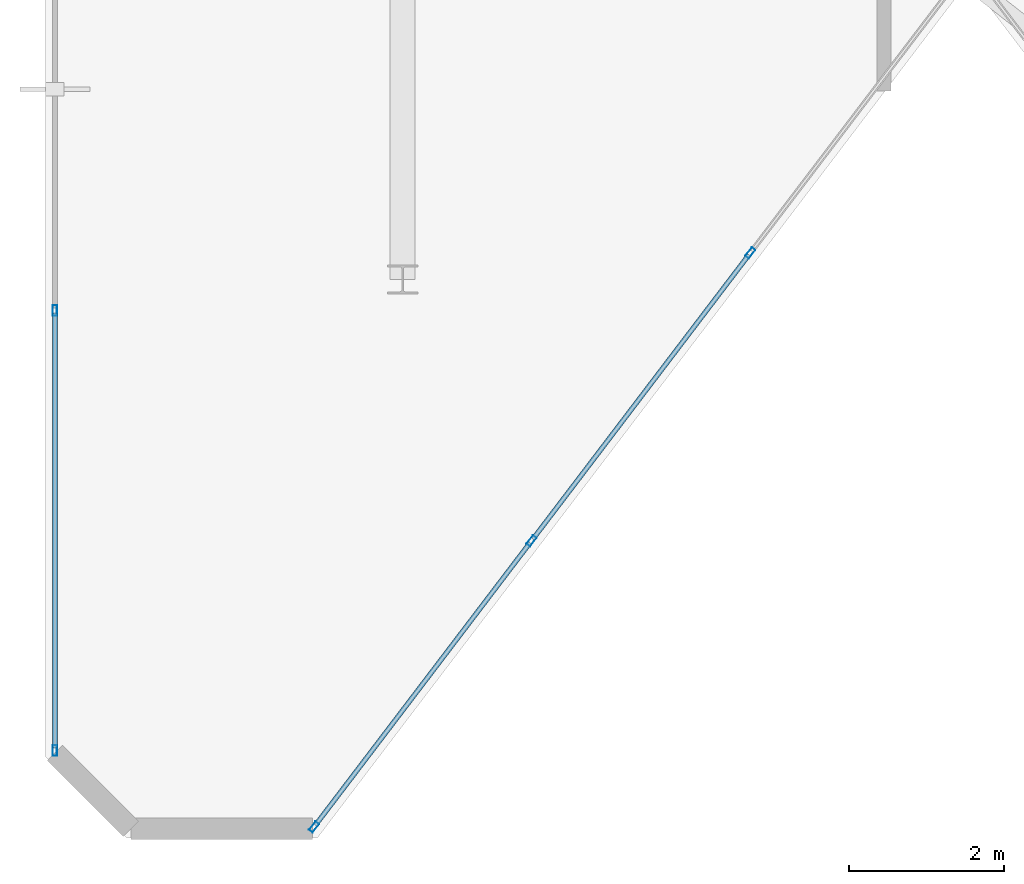
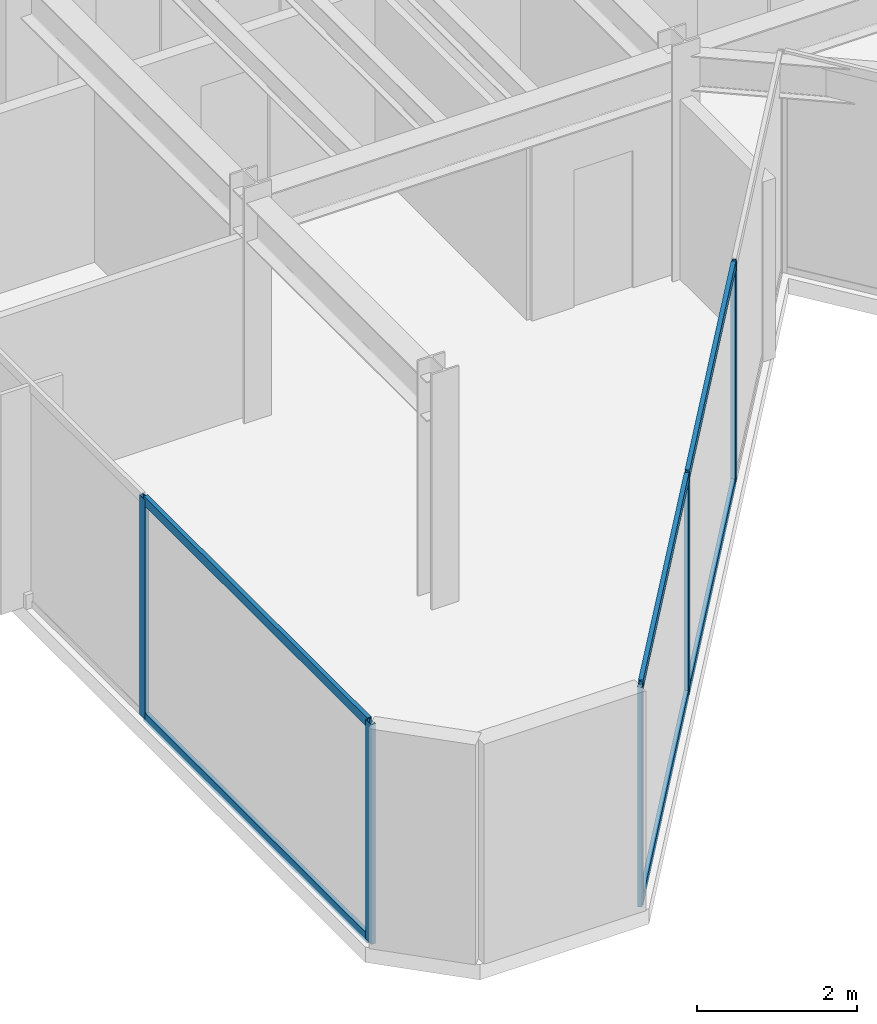
# One storey, part 2 of 16: 11 members, 2 elements without a shape of their own.
"""IFC4 building model written with IfcOpenShell, lengths in metres."""

from ifc_helpers import new_model, si_unit, direction, frame, origin, origin_2d, place, context, subcontext, project, spatial, hollow_rectangle, extrude, material, layer, layer_set, material_profile, profile_set, type_object, element, aggregate, save


model = new_model("IFC4")

# Units and contexts
model_context = context("Model", 3, precision=1e-05, world=origin(), true_north=direction((0.0, 1.0)))
body_context = subcontext(model_context, "Body", "Model", "MODEL_VIEW")
ifc_project = project(units=[si_unit("LENGTHUNIT", "METRE"), si_unit("AREAUNIT", "SQUARE_METRE"), si_unit("VOLUMEUNIT", "CUBIC_METRE"), si_unit("PLANEANGLEUNIT", "RADIAN"), si_unit("MASSUNIT", "GRAM", prefix="KILO")], contexts=[model_context])

# Site, building, storey
site_placement = place(None, origin())
site = spatial("IfcSite", under=ifc_project, at=site_placement, CompositionType="ELEMENT")
building_placement = place(site_placement, origin())
building = spatial("IfcBuilding", under=site, at=building_placement, Name="Kravanh Interchange Tower", CompositionType="ELEMENT")
storey_placement = place(building_placement, frame((0.0, 0.0, 303.89990234375)))
storey = spatial("IfcBuildingStorey", under=building, at=storey_placement, Name="L75", CompositionType="ELEMENT", Elevation=303.89990234375)

# Curtain wall, members
ifc_material_1 = material(Name="Anodised Bronze Aluminium", Category="aluminium")
ifc_layer = layer(ifc_material_1, 0.179931640625)
ifc_layer_set = layer_set([ifc_layer], Name="Unitised Curtain Wall System CW-HTL Luxury Hotel")
curtain_wall_type = type_object("IfcCurtainWallType", Name="Unitised Curtain Wall System CW-HTL Luxury Hotel", PredefinedType="NOTDEFINED", material=ifc_layer_set)
curtain_wall_1_placement = place(storey_placement, origin())
curtain_wall_1 = element("IfcCurtainWall", 1, at=curtain_wall_1_placement, inside=storey, type_object=curtain_wall_type, Name="L75 Unitised Curtain Wall CW-L75-01", PredefinedType="NOTDEFINED")
ifc_material_2 = material(Name="Anodised Bronze Aluminium", Category="aluminium")
ifc_material_profile_1 = material_profile(ifc_material_2, hollow_rectangle(XDim=0.06005859375, YDim=0.139892578125, WallThickness=0.00390625, at=origin_2d()), Name="ALU60X140X4")
ifc_profile_set_1 = profile_set([ifc_material_profile_1], Name="Anodised Bronze Aluminium")
member_type_1 = type_object("IfcMemberType", Name="Curtain Wall Mullion ALU60X140X4 Bronze", PredefinedType="MULLION", material=ifc_profile_set_1)
member_1_placement = place(storey_placement, frame((34.1201171875, 20.729736328125, 0.0), z_axis=(0.0, 0.0, 1.0), x_axis=(-1.0, 0.0, 0.0)))
member_1 = element("IfcMember", 2, at=member_1_placement, type_object=member_type_1, Name="CW-HTL mullion 1", PredefinedType="MULLION", context=body_context, shape_type="SweptSolid", body=[
    extrude(hollow_rectangle(XDim=0.06005859375, YDim=0.139892578125, WallThickness=0.00390625, at=origin_2d()), origin(), (0.0, 0.0, 1.0), 3.364990234375),
])
member_2_placement = place(storey_placement, frame((34.1201171875, 26.39990234375, 0.0), z_axis=(0.0, 0.0, 1.0), x_axis=(-1.0, 0.0, 0.0)))
member_2 = element("IfcMember", 3, at=member_2_placement, type_object=member_type_1, Name="CW-HTL mullion 2", PredefinedType="MULLION", context=body_context, shape_type="SweptSolid", body=[
    extrude(hollow_rectangle(XDim=0.06005859375, YDim=0.139892578125, WallThickness=0.00390625, at=origin_2d()), origin(), (0.0, 0.0, 1.0), 3.364990234375),
])

curtain_wall_2_placement = place(storey_placement, origin())
curtain_wall_2 = element("IfcCurtainWall", 4, at=curtain_wall_2_placement, inside=storey, type_object=curtain_wall_type, Name="L75 Unitised Curtain Wall CW-L75-05", PredefinedType="NOTDEFINED")
member_3_placement = place(storey_placement, frame((43.080078125, 27.140625, 0.0), z_axis=(0.0, 0.0, 1.0), x_axis=(0.796161642797, -0.605083992962, 0.0)))
member_3 = element("IfcMember", 5, at=member_3_placement, type_object=member_type_1, Name="CW-HTL mullion 2", PredefinedType="MULLION", context=body_context, shape_type="SweptSolid", body=[
    extrude(hollow_rectangle(XDim=0.06005859375, YDim=0.139892578125, WallThickness=0.00390625, at=origin_2d()), origin(), (0.0, 0.0, 1.0), 3.364990234375),
])
member_4_placement = place(storey_placement, frame((40.26025390625, 23.430419921875, 0.0), z_axis=(0.0, 0.0, 1.0), x_axis=(0.796161642797, -0.605083992962, 0.0)))
member_4 = element("IfcMember", 6, at=member_4_placement, type_object=member_type_1, Name="CW-HTL mullion 3", PredefinedType="MULLION", context=body_context, shape_type="SweptSolid", body=[
    extrude(hollow_rectangle(XDim=0.06005859375, YDim=0.139892578125, WallThickness=0.00390625, at=origin_2d()), origin(), (0.0, 0.0, 1.0), 3.364990234375),
])
member_5_placement = place(storey_placement, frame((37.458740234375, 19.743896484375, 0.0), z_axis=(0.0, 0.0, 1.0), x_axis=(0.796161642797, -0.605083992962, 0.0)))
member_5 = element("IfcMember", 7, at=member_5_placement, type_object=member_type_1, Name="CW-HTL mullion 4", PredefinedType="MULLION", context=body_context, shape_type="SweptSolid", body=[
    extrude(hollow_rectangle(XDim=0.06005859375, YDim=0.139892578125, WallThickness=0.00390625, at=origin_2d()), origin(), (0.0, 0.0, 1.0), 3.364990234375),
])

# Member
ifc_material_3 = material(Name="Anodised Bronze Aluminium", Category="aluminium")
ifc_material_profile_2 = material_profile(ifc_material_3, hollow_rectangle(XDim=0.06005859375, YDim=0.139892578125, WallThickness=0.00390625, at=origin_2d()), Name="ALU60X140X4")
ifc_profile_set_2 = profile_set([ifc_material_profile_2], Name="Anodised Bronze Aluminium")
member_type_2 = type_object("IfcMemberType", Name="Curtain Wall Transom ALU60X140X4 Bronze", PredefinedType="USERDEFINED", material=ifc_profile_set_2)
member_6_placement = place(storey_placement, frame((34.1201171875, 20.759765625, 0.030029296875), z_axis=(0.0, 1.0, 0.0), x_axis=(-1.0, 0.0, 0.0)))
member_6 = element("IfcMember", 8, at=member_6_placement, type_object=member_type_2, Name="CW-HTL transom 1.1", ObjectType="TRANSOM", PredefinedType="USERDEFINED", context=body_context, shape_type="SweptSolid", body=[
    extrude(hollow_rectangle(XDim=0.06005859375, YDim=0.139892578125, WallThickness=0.00390625, at=origin_2d()), origin(), (0.0, 0.0, 1.0), 5.610107421875),
])

member_7_placement = place(storey_placement, frame((34.1201171875, 20.759765625, 3.335205078125), z_axis=(0.0, 1.0, 0.0), x_axis=(-1.0, 0.0, 0.0)))
member_7 = element("IfcMember", 9, at=member_7_placement, type_object=member_type_2, Name="CW-HTL transom 1.2", ObjectType="TRANSOM", PredefinedType="USERDEFINED", context=body_context, shape_type="SweptSolid", body=[
    extrude(hollow_rectangle(XDim=0.06005859375, YDim=0.139892578125, WallThickness=0.00390625, at=origin_2d()), origin(), (0.0, 0.0, 1.0), 5.610107421875),
])

aggregate(curtain_wall_1, [member_1, member_2, member_6, member_7])

member_8_placement = place(storey_placement, frame((43.06201171875, 27.11669921875, 0.030029296875), z_axis=(-0.605065774315, -0.796175488666, 0.0), x_axis=(0.796175488666, -0.605065774315, 0.0)))
member_8 = element("IfcMember", 10, at=member_8_placement, type_object=member_type_2, Name="CW-HTL transom 2.1", ObjectType="TRANSOM", PredefinedType="USERDEFINED", context=body_context, shape_type="SweptSolid", body=[
    extrude(hollow_rectangle(XDim=0.06005859375, YDim=0.139892578125, WallThickness=0.00390625, at=origin_2d()), origin(), (0.0, 0.0, 1.0), 4.600341796875),
])

member_9_placement = place(storey_placement, frame((43.06201171875, 27.11669921875, 3.335205078125), z_axis=(-0.605065774315, -0.796175488666, 0.0), x_axis=(0.796175488666, -0.605065774315, 0.0)))
member_9 = element("IfcMember", 11, at=member_9_placement, type_object=member_type_2, Name="CW-HTL transom 2.2", ObjectType="TRANSOM", PredefinedType="USERDEFINED", context=body_context, shape_type="SweptSolid", body=[
    extrude(hollow_rectangle(XDim=0.06005859375, YDim=0.139892578125, WallThickness=0.00390625, at=origin_2d()), origin(), (0.0, 0.0, 1.0), 4.600341796875),
])

member_10_placement = place(storey_placement, frame((40.2421875, 23.406494140625, 0.030029296875), z_axis=(-0.605081913085, -0.796163223502, 0.0), x_axis=(0.796163223502, -0.605081913085, 0.0)))
member_10 = element("IfcMember", 12, at=member_10_placement, type_object=member_type_2, Name="CW-HTL transom 3.1", ObjectType="TRANSOM", PredefinedType="USERDEFINED", context=body_context, shape_type="SweptSolid", body=[
    extrude(hollow_rectangle(XDim=0.06005859375, YDim=0.139892578125, WallThickness=0.00390625, at=origin_2d()), origin(), (0.0, 0.0, 1.0), 4.5703125),
])

member_11_placement = place(storey_placement, frame((40.2421875, 23.406494140625, 3.335205078125), z_axis=(-0.605081913085, -0.796163223502, 0.0), x_axis=(0.796163223502, -0.605081913085, 0.0)))
member_11 = element("IfcMember", 13, at=member_11_placement, type_object=member_type_2, Name="CW-HTL transom 3.2", ObjectType="TRANSOM", PredefinedType="USERDEFINED", context=body_context, shape_type="SweptSolid", body=[
    extrude(hollow_rectangle(XDim=0.06005859375, YDim=0.139892578125, WallThickness=0.00390625, at=origin_2d()), origin(), (0.0, 0.0, 1.0), 4.5703125),
])

aggregate(curtain_wall_2, [member_3, member_4, member_5, member_8, member_9, member_10, member_11])

save(model, "model.ifc")
